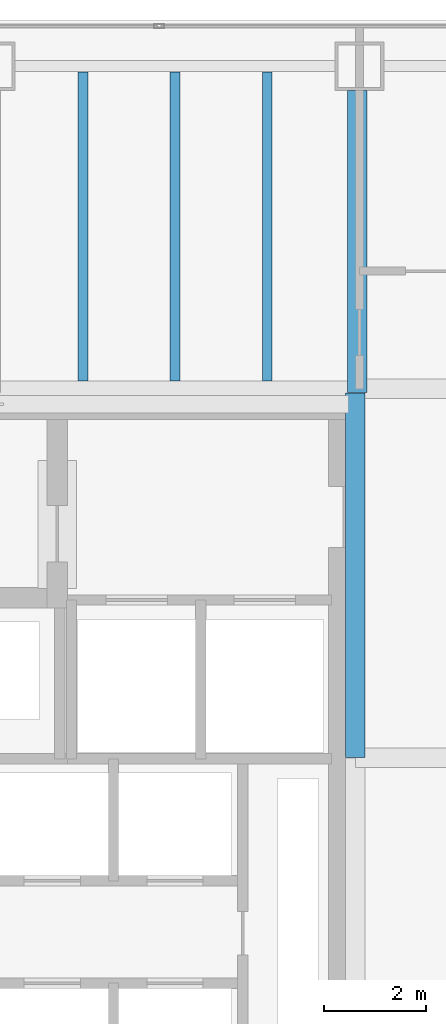
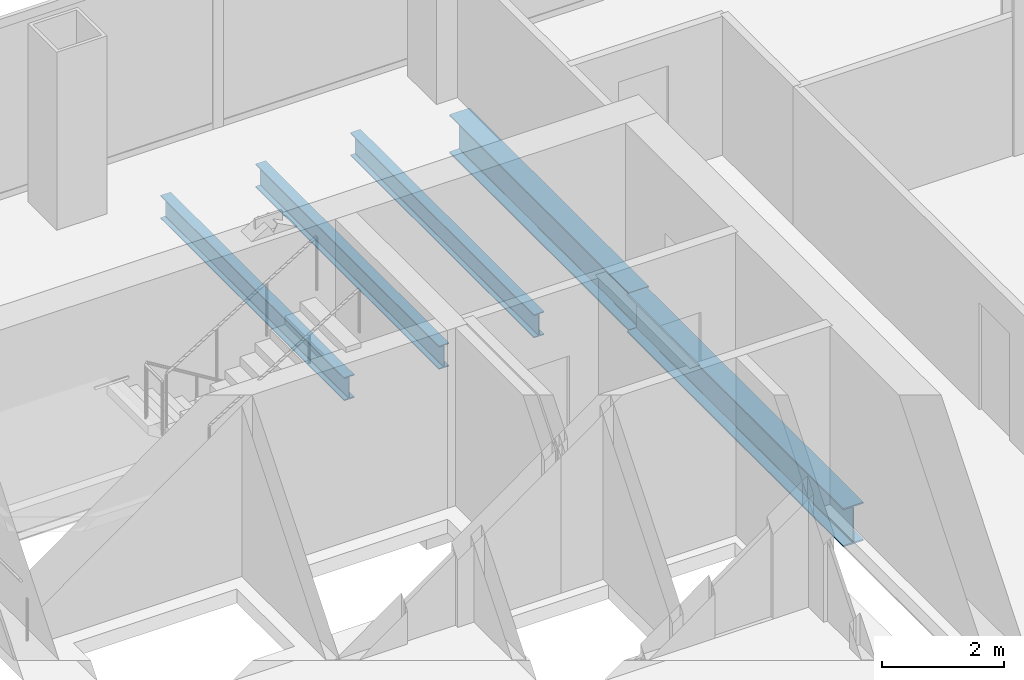
# One storey, part 15 of 23: 5 beams.
"""IFC4 building model written with IfcOpenShell, lengths in metres."""

from ifc_helpers import new_model, si_unit, direction, frame, origin, origin_2d, place, context, subcontext, project, spatial, i_section, extrude, material, material_profile, profile_set, type_object, element, save


model = new_model("IFC4")

# Units and contexts
model_context = context("Model", 3, precision=1e-05, world=origin(), true_north=direction((0.0, 1.0)))
body_context = subcontext(model_context, "Body", "Model", "MODEL_VIEW")
ifc_project = project(units=[si_unit("LENGTHUNIT", "METRE"), si_unit("AREAUNIT", "SQUARE_METRE"), si_unit("VOLUMEUNIT", "CUBIC_METRE"), si_unit("PLANEANGLEUNIT", "RADIAN"), si_unit("MASSUNIT", "GRAM", prefix="KILO")], contexts=[model_context])

# Site, building, storey
site_placement = place(None, origin())
site = spatial("IfcSite", under=ifc_project, at=site_placement, CompositionType="ELEMENT")
building_placement = place(site_placement, origin())
building = spatial("IfcBuilding", under=site, at=building_placement, Name="Cobrela Telecom Tower", CompositionType="ELEMENT")
storey_placement = place(building_placement, frame((0.0, 0.0, 81.199951171875)))
storey = spatial("IfcBuildingStorey", under=building, at=storey_placement, Name="L20", CompositionType="ELEMENT", Elevation=81.199951171875)

# Beams
ifc_material = material(Name="Steel ASTM A992 Grade 50", Category="steel")
ifc_material_profile_1 = material_profile(ifc_material, i_section(OverallWidth=0.381103515625, OverallDepth=0.77197265625, WebThickness=0.0166015625, FlangeThickness=0.027099609375, FilletRadius=0.01904296875, at=origin_2d()), Name="W30X173")
ifc_profile_set_1 = profile_set([ifc_material_profile_1], Name="Steel ASTM A992 Grade 50")
beam_type_1 = type_object("IfcBeamType", Name="BM-GIRD-04", PredefinedType="USERDEFINED", material=ifc_profile_set_1)
beam_1_placement = place(storey_placement, frame((14.320068359375, 28.804931640625, -0.666015625), z_axis=(0.0, 1.0, 0.0), x_axis=(-1.0, 0.0, 0.0)))
element("IfcBeam", 1, at=beam_1_placement, inside=storey, type_object=beam_type_1, Name="L20 Primary Girder Y38", ObjectType="GIRDER", PredefinedType="USERDEFINED", context=body_context, shape_type="SweptSolid", body=[
    extrude(i_section(OverallWidth=0.381103515625, OverallDepth=0.77197265625, WebThickness=0.0166015625, FlangeThickness=0.027099609375, FilletRadius=0.01904296875, at=origin_2d()), origin(), (0.0, 0.0, 1.0), 7.110107421875),
])
beam_2_placement = place(storey_placement, frame((14.360107421875, 35.925048828125, -0.666015625), z_axis=(0.0, 1.0, 0.0), x_axis=(-1.0, 0.0, 0.0)))
element("IfcBeam", 2, at=beam_2_placement, inside=storey, type_object=beam_type_1, Name="L20 Primary Girder Y39", ObjectType="GIRDER", PredefinedType="USERDEFINED", context=body_context, shape_type="SweptSolid", body=[
    extrude(i_section(OverallWidth=0.381103515625, OverallDepth=0.77197265625, WebThickness=0.0166015625, FlangeThickness=0.027099609375, FilletRadius=0.01904296875, at=origin_2d()), origin(), (0.0, 0.0, 1.0), 5.89501953125),
])
ifc_material_profile_2 = material_profile(ifc_material, i_section(OverallWidth=0.193115234375, OverallDepth=0.467041015625, WebThickness=0.011474609375, FlangeThickness=0.01904296875, FilletRadius=0.012939453125, at=origin_2d()), Name="W18X65")
ifc_profile_set_2 = profile_set([ifc_material_profile_2], Name="Steel ASTM A992 Grade 50")
beam_type_2 = type_object("IfcBeamType", Name="BM-JOIST-03", PredefinedType="JOIST", material=ifc_profile_set_2)
for number, where, z_axis, x_axis, name in (
    (3, (9.0, 36.155517578125, -0.513427734375), (0.0, 1.0, 0.0), (-1.0, 0.0, 0.0), "L20 Secondary Composite Floor Beam J02"),
    (4, (10.800048828125, 36.155517578125, -0.513427734375), (0.0, 1.0, 0.0), (-1.0, 0.0, 0.0), "L20 Secondary Composite Floor Beam J04"),
    (5, (12.60009765625, 36.155517578125, -0.513427734375), (0.0, 1.0, 0.0), (-1.0, 0.0, 0.0), "L20 Secondary Composite Floor Beam J06"),
):
    element("IfcBeam", number, at=place(storey_placement, frame(where, z_axis=z_axis, x_axis=x_axis)), inside=storey, type_object=beam_type_2, Name=name, PredefinedType="JOIST", context=body_context, shape_type="SweptSolid", body=[
        extrude(i_section(OverallWidth=0.193115234375, OverallDepth=0.467041015625, WebThickness=0.011474609375, FlangeThickness=0.01904296875, FilletRadius=0.012939453125, at=origin_2d()), origin(), (0.0, 0.0, 1.0), 6.032958984375),
    ])

save(model, "model.ifc")
